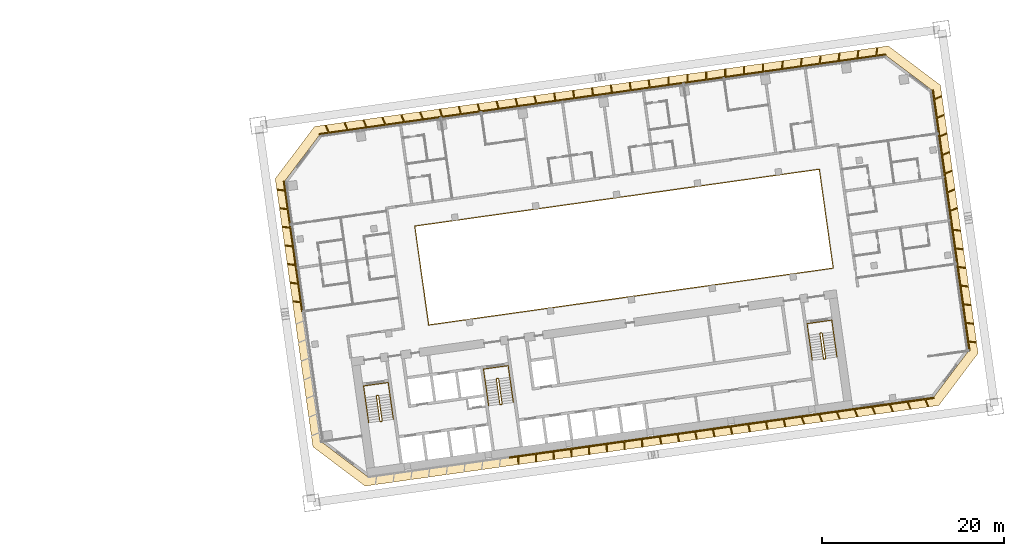
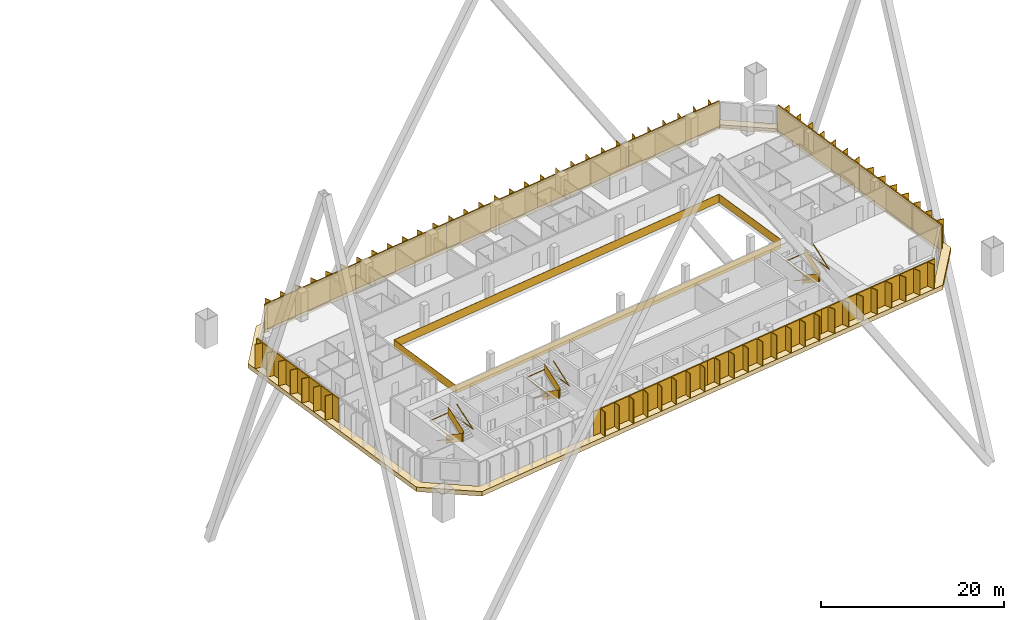
# One storey, part 49 of 49: 11 shading devices, 7 railings, 1 covering.
"""IFC4 building model written with IfcOpenShell, lengths in metres."""

from ifc_helpers import new_model, si_unit, direction, frame, origin, origin_2d, place, context, subcontext, project, spatial, polyline, rectangle, outline, extrude, material, layer, layer_set, type_object, element, save


model = new_model("IFC4")

# Units and contexts
model_context = context("Model", 3, precision=1e-05, world=origin(), true_north=direction((0.0, 1.0)))
body_context = subcontext(model_context, "Body", "Model", "MODEL_VIEW")
ifc_project = project(units=[si_unit("LENGTHUNIT", "METRE"), si_unit("AREAUNIT", "SQUARE_METRE"), si_unit("VOLUMEUNIT", "CUBIC_METRE"), si_unit("PLANEANGLEUNIT", "RADIAN"), si_unit("MASSUNIT", "GRAM", prefix="KILO")], contexts=[model_context])

# Site, building, storey
site_placement = place(None, origin())
site = spatial("IfcSite", under=ifc_project, at=site_placement, CompositionType="ELEMENT")
building_placement = place(site_placement, origin())
building = spatial("IfcBuilding", under=site, at=building_placement, Name="Mirante Cascada Hotel Towers", CompositionType="ELEMENT")
storey_placement = place(building_placement, frame((0.0, 0.0, 66.1)))
storey = spatial("IfcBuildingStorey", under=building, at=storey_placement, Name="L13", CompositionType="ELEMENT", Elevation=66.1)

# Railing
ifc_material_1 = material(Name="Toughened glass with stainless steel handrail", Category="steel")
railing_type_1 = type_object("IfcRailingType", Name="Atrium guard 1100 glass balustrade", PredefinedType="GUARDRAIL", material=ifc_material_1)
railing_1_placement = place(storey_placement, frame((43.8418, -3.4881, 0.0)))
element("IfcRailing", 1, at=railing_1_placement, inside=storey, type_object=railing_type_1, Name="GUARD 2-L13-1", PredefinedType="GUARDRAIL", context=body_context, shape_type="SweptSolid", body=[
    extrude(rectangle(XDim=0.048, YDim=0.048, at=origin_2d()), frame((0.0, 0.0, 1.076), z_axis=(0.9902681, 0.1391732, 0.0), x_axis=(-0.1391732, 0.9902681, 0.0)), (0.0, 0.0, 1.0), 45.0),
    extrude(rectangle(XDim=0.02, YDim=1.052, at=origin_2d()), frame((0.0, 0.0, 0.526), z_axis=(0.9902681, 0.1391732, 0.0), x_axis=(-0.1391732, 0.9902681, 0.0)), (0.0, 0.0, 1.0), 45.0),
    extrude(rectangle(XDim=0.048, YDim=0.048, at=origin_2d()), frame((44.5621, 6.2628, 1.076), z_axis=(-0.1391721, 0.9902682, 0.0), x_axis=(-0.9902682, -0.1391721, 0.0)), (0.0, 0.0, 1.0), 11.0001),
    extrude(rectangle(XDim=0.02, YDim=1.052, at=origin_2d()), frame((44.5621, 6.2628, 0.526), z_axis=(-0.1391721, 0.9902682, 0.0), x_axis=(-0.9902682, -0.1391721, 0.0)), (0.0, 0.0, 1.0), 11.0001),
    extrude(rectangle(XDim=0.048, YDim=0.048, at=origin_2d()), frame((43.0312, 17.1558, 1.076), z_axis=(-0.9902681, -0.1391732, 0.0), x_axis=(0.1391732, -0.9902681, 0.0)), (0.0, 0.0, 1.0), 45.0),
    extrude(rectangle(XDim=0.02, YDim=1.052, at=origin_2d()), frame((43.0312, 17.1558, 0.526), z_axis=(-0.9902681, -0.1391732, 0.0), x_axis=(0.1391732, -0.9902681, 0.0)), (0.0, 0.0, 1.0), 45.0),
    extrude(rectangle(XDim=0.048, YDim=0.048, at=origin_2d()), frame((-1.5309, 10.893, 1.076), z_axis=(0.1391721, -0.9902682, 0.0), x_axis=(0.9902682, 0.1391721, 0.0)), (0.0, 0.0, 1.0), 11.0001),
    extrude(rectangle(XDim=0.02, YDim=1.052, at=origin_2d()), frame((-1.5309, 10.893, 0.526), z_axis=(0.1391721, -0.9902682, 0.0), x_axis=(0.9902682, 0.1391721, 0.0)), (0.0, 0.0, 1.0), 11.0001),
])

# Covering
ifc_material_2 = material(Name="Precast concrete C40/50 white", Category="concrete")
ifc_layer = layer(ifc_material_2, 0.6)
ifc_layer_set = layer_set([ifc_layer], Name="Precast concrete SUNSHADE band 1000x600")
covering_type = type_object("IfcCoveringType", Name="Precast concrete SUNSHADE band 1000x600", PredefinedType="CLADDING", material=ifc_layer_set)
covering_placement = place(storey_placement, frame((0.0, 0.0, -0.45)))
element("IfcCovering", 2, at=covering_placement, inside=storey, type_object=covering_type, Name="Precast concrete SUNSHADE band T2 L13", PredefinedType="CLADDING", context=body_context, shape_type="SweptSolid", body=[
    extrude(outline(polyline([(26.9341, 12.6299), (31.2626, 18.374), (94.4698, 27.2572), (100.2139, 22.9287), (104.3652, -6.6094), (100.0367, -12.3535), (36.8295, -21.2367), (31.0854, -16.9082), (26.9341, 12.6299)]), holes=[polyline([(103.3173, -6.3384), (99.2813, 22.3794), (94.1988, 26.2093), (31.8119, 17.4414), (27.982, 12.3589), (32.018, -16.3589), (37.1005, -20.1888), (99.4874, -11.4209), (103.3173, -6.3384)])]), origin(), (0.0, 0.0, 1.0), 0.6),
])

# Railings
ifc_material_3 = material(Name="Painted steel", Category="steel")
railing_type_2 = type_object("IfcRailingType", Name="Stair guard 1100 steel balustrade", PredefinedType="GUARDRAIL", material=ifc_material_3)
railing_2_placement = place(storey_placement, frame((38.2663, -11.2395, 0.0)))
element("IfcRailing", 3, at=railing_2_placement, inside=storey, type_object=railing_type_2, Name="L13 ST2-A stair guard 1", PredefinedType="GUARDRAIL", context=body_context, shape_type="SweptSolid", body=[
    extrude(rectangle(XDim=0.048, YDim=0.048, at=origin_2d()), frame((0.0, 0.0, 1.076), z_axis=(-0.9903326, -0.1387133, 0.0), x_axis=(0.1387133, -0.9903326, 0.0)), (0.0, 0.0, 1.0), 0.1499),
    extrude(rectangle(XDim=0.02, YDim=1.052, at=origin_2d()), frame((0.0, 0.0, 0.526), z_axis=(-0.9903326, -0.1387133, 0.0), x_axis=(0.1387133, -0.9903326, 0.0)), (0.0, 0.0, 1.0), 0.1499),
    extrude(rectangle(XDim=0.048, YDim=0.048, at=origin_2d()), frame((-0.1485, -0.0208, 1.076), z_axis=(-0.6020331, -0.7984711, 0.0), x_axis=(0.7984711, -0.6020331, 0.0)), (0.0, 0.9253398, 0.3791387), 0.1866),
    extrude(rectangle(XDim=0.02, YDim=1.052, at=origin_2d()), frame((-0.1485, -0.0208, 0.526), z_axis=(-0.6020331, -0.7984711, 0.0), x_axis=(0.7984711, -0.6020331, 0.0)), (0.0, 0.9253398, 0.3791387), 0.1866),
    extrude(rectangle(XDim=0.048, YDim=0.048, at=origin_2d()), frame((-0.1911, -0.0773, 1.2487), z_axis=(0.139176, -0.9902677, 0.0), x_axis=(0.9902677, 0.139176, 0.0)), (0.0, 0.5250212, 0.8510891), 3.29),
    extrude(rectangle(XDim=0.02, YDim=1.052, at=origin_2d()), frame((-0.1911, -0.0773, 0.6987), z_axis=(0.139176, -0.9902677, 0.0), x_axis=(0.9902677, 0.139176, 0.0)), (0.0, 0.5250212, 0.8510891), 3.29),
    extrude(rectangle(XDim=0.048, YDim=0.048, at=origin_2d()), frame((0.1986, -2.8501, 2.976), z_axis=(0.9944948, -0.1047858, 0.0), x_axis=(0.1047858, 0.9944948, 0.0)), (0.0, 0.0, 1.0), 0.2061),
    extrude(rectangle(XDim=0.02, YDim=1.052, at=origin_2d()), frame((0.1986, -2.8501, 2.426), z_axis=(0.9944948, -0.1047858, 0.0), x_axis=(0.1047858, 0.9944948, 0.0)), (0.0, 0.0, 1.0), 0.2061),
    extrude(rectangle(XDim=0.048, YDim=0.048, at=origin_2d()), frame((0.4036, -2.8717, 2.976), z_axis=(-0.9902408, -0.1393672, 0.0), x_axis=(0.1393672, -0.9902408, 0.0)), (0.0, 0.0, 1.0), 0.15),
    extrude(rectangle(XDim=0.02, YDim=1.052, at=origin_2d()), frame((0.4036, -2.8717, 2.426), z_axis=(-0.9902408, -0.1393672, 0.0), x_axis=(0.1393672, -0.9902408, 0.0)), (0.0, 0.0, 1.0), 0.15),
    extrude(rectangle(XDim=0.048, YDim=0.048, at=origin_2d()), frame((0.2551, -2.8926, 2.976), z_axis=(0.9270311, 0.3749843, 0.0), x_axis=(-0.3749843, 0.9270311, 0.0)), (0.0, 0.6421903, 0.7665452), 0.2689),
    extrude(rectangle(XDim=0.02, YDim=1.052, at=origin_2d()), frame((0.2551, -2.8926, 2.426), z_axis=(0.9270311, 0.3749843, 0.0), x_axis=(-0.3749843, 0.9270311, 0.0)), (0.0, 0.6421903, 0.7665452), 0.2689),
    extrude(rectangle(XDim=0.048, YDim=0.048, at=origin_2d()), frame((0.4462, -2.8153, 3.1487), z_axis=(-0.139176, 0.9902677, 0.0), x_axis=(-0.9902677, -0.139176, 0.0)), (0.0, 0.5250212, 0.8510891), 3.29),
    extrude(rectangle(XDim=0.02, YDim=1.052, at=origin_2d()), frame((0.4462, -2.8153, 2.5987), z_axis=(-0.139176, 0.9902677, 0.0), x_axis=(-0.9902677, -0.139176, 0.0)), (0.0, 0.5250212, 0.8510891), 3.29),
])
railing_3_placement = place(storey_placement, frame((51.4864, -9.3815, 0.0)))
element("IfcRailing", 4, at=railing_3_placement, inside=storey, type_object=railing_type_2, Name="L13 ST2-B stair guard 1", PredefinedType="GUARDRAIL", context=body_context, shape_type="SweptSolid", body=[
    extrude(rectangle(XDim=0.048, YDim=0.048, at=origin_2d()), frame((0.0, 0.0, 1.076), z_axis=(-0.9902408, -0.1393672, 0.0), x_axis=(0.1393672, -0.9902408, 0.0)), (0.0, 0.0, 1.0), 0.15),
    extrude(rectangle(XDim=0.02, YDim=1.052, at=origin_2d()), frame((0.0, 0.0, 0.526), z_axis=(-0.9902408, -0.1393672, 0.0), x_axis=(0.1393672, -0.9902408, 0.0)), (0.0, 0.0, 1.0), 0.15),
    extrude(rectangle(XDim=0.048, YDim=0.048, at=origin_2d()), frame((-0.1485, -0.0209, 1.076), z_axis=(-0.6020331, -0.7984711, 0.0), x_axis=(0.7984711, -0.6020331, 0.0)), (0.0, 0.9253398, 0.3791387), 0.1866),
    extrude(rectangle(XDim=0.02, YDim=1.052, at=origin_2d()), frame((-0.1485, -0.0209, 0.526), z_axis=(-0.6020331, -0.7984711, 0.0), x_axis=(0.7984711, -0.6020331, 0.0)), (0.0, 0.9253398, 0.3791387), 0.1866),
    extrude(rectangle(XDim=0.048, YDim=0.048, at=origin_2d()), frame((-0.1911, -0.0774, 1.2487), z_axis=(0.139181, -0.990267, 0.0), x_axis=(0.990267, 0.139181, 0.0)), (0.0, 0.5250347, 0.8510808), 3.2899),
    extrude(rectangle(XDim=0.02, YDim=1.052, at=origin_2d()), frame((-0.1911, -0.0774, 0.6987), z_axis=(0.139181, -0.990267, 0.0), x_axis=(0.990267, 0.139181, 0.0)), (0.0, 0.5250347, 0.8510808), 3.2899),
    extrude(rectangle(XDim=0.048, YDim=0.048, at=origin_2d()), frame((0.1986, -2.8501, 2.976), z_axis=(0.9944441, -0.1052656, 0.0), x_axis=(0.1052656, 0.9944441, 0.0)), (0.0, 0.0, 1.0), 0.2061),
    extrude(rectangle(XDim=0.02, YDim=1.052, at=origin_2d()), frame((0.1986, -2.8501, 2.426), z_axis=(0.9944441, -0.1052656, 0.0), x_axis=(0.1052656, 0.9944441, 0.0)), (0.0, 0.0, 1.0), 0.2061),
    extrude(rectangle(XDim=0.048, YDim=0.048, at=origin_2d()), frame((0.4036, -2.8718, 2.976), z_axis=(-0.9902408, -0.1393672, 0.0), x_axis=(0.1393672, -0.9902408, 0.0)), (0.0, 0.0, 1.0), 0.15),
    extrude(rectangle(XDim=0.02, YDim=1.052, at=origin_2d()), frame((0.4036, -2.8718, 2.426), z_axis=(-0.9902408, -0.1393672, 0.0), x_axis=(0.1393672, -0.9902408, 0.0)), (0.0, 0.0, 1.0), 0.15),
    extrude(rectangle(XDim=0.048, YDim=0.048, at=origin_2d()), frame((0.2551, -2.8927, 2.976), z_axis=(0.9268624, 0.3754011, 0.0), x_axis=(-0.3754011, 0.9268624, 0.0)), (0.0, 0.6421217, 0.7666028), 0.269),
    extrude(rectangle(XDim=0.02, YDim=1.052, at=origin_2d()), frame((0.2551, -2.8927, 2.426), z_axis=(0.9268624, 0.3754011, 0.0), x_axis=(-0.3754011, 0.9268624, 0.0)), (0.0, 0.6421217, 0.7666028), 0.269),
    extrude(rectangle(XDim=0.048, YDim=0.048, at=origin_2d()), frame((0.4462, -2.8153, 3.1487), z_axis=(-0.139181, 0.990267, 0.0), x_axis=(-0.990267, -0.139181, 0.0)), (0.0, 0.5250347, 0.8510808), 3.2899),
    extrude(rectangle(XDim=0.02, YDim=1.052, at=origin_2d()), frame((0.4462, -2.8153, 2.5987), z_axis=(-0.139181, 0.990267, 0.0), x_axis=(-0.990267, -0.139181, 0.0)), (0.0, 0.5250347, 0.8510808), 3.2899),
])
railing_4_placement = place(storey_placement, frame((87.1361, -4.3713, 0.0)))
element("IfcRailing", 5, at=railing_4_placement, inside=storey, type_object=railing_type_2, Name="L13 ST2-C stair guard 1", PredefinedType="GUARDRAIL", context=body_context, shape_type="SweptSolid", body=[
    extrude(rectangle(XDim=0.048, YDim=0.048, at=origin_2d()), frame((0.0, 0.0, 1.076), z_axis=(-0.9902537, -0.1392753, 0.0), x_axis=(0.1392753, -0.9902537, 0.0)), (0.0, 0.0, 1.0), 0.1501),
    extrude(rectangle(XDim=0.02, YDim=1.052, at=origin_2d()), frame((0.0, 0.0, 0.526), z_axis=(-0.9902537, -0.1392753, 0.0), x_axis=(0.1392753, -0.9902537, 0.0)), (0.0, 0.0, 1.0), 0.1501),
    extrude(rectangle(XDim=0.048, YDim=0.048, at=origin_2d()), frame((-0.1486, -0.0209, 1.076), z_axis=(-0.601811, -0.7986386, 0.0), x_axis=(0.7986386, -0.601811, 0.0)), (0.0, 0.925603, 0.3784959), 0.1866),
    extrude(rectangle(XDim=0.02, YDim=1.052, at=origin_2d()), frame((-0.1486, -0.0209, 0.526), z_axis=(-0.601811, -0.7986386, 0.0), x_axis=(0.7986386, -0.601811, 0.0)), (0.0, 0.925603, 0.3784959), 0.1866),
    extrude(rectangle(XDim=0.048, YDim=0.048, at=origin_2d()), frame((-0.1911, -0.0773, 1.2487), z_axis=(0.139176, -0.9902677, 0.0), x_axis=(0.9902677, 0.139176, 0.0)), (0.0, 0.5250212, 0.8510891), 3.29),
    extrude(rectangle(XDim=0.02, YDim=1.052, at=origin_2d()), frame((-0.1911, -0.0773, 0.6987), z_axis=(0.139176, -0.9902677, 0.0), x_axis=(0.9902677, 0.139176, 0.0)), (0.0, 0.5250212, 0.8510891), 3.29),
    extrude(rectangle(XDim=0.048, YDim=0.048, at=origin_2d()), frame((0.1986, -2.8501, 2.976), z_axis=(0.9944441, -0.1052656, 0.0), x_axis=(0.1052656, 0.9944441, 0.0)), (0.0, 0.0, 1.0), 0.2061),
    extrude(rectangle(XDim=0.02, YDim=1.052, at=origin_2d()), frame((0.1986, -2.8501, 2.426), z_axis=(0.9944441, -0.1052656, 0.0), x_axis=(0.1052656, 0.9944441, 0.0)), (0.0, 0.0, 1.0), 0.2061),
    extrude(rectangle(XDim=0.048, YDim=0.048, at=origin_2d()), frame((0.4036, -2.8718, 2.976), z_axis=(-0.9903454, -0.1386217, 0.0), x_axis=(0.1386217, -0.9903454, 0.0)), (0.0, 0.0, 1.0), 0.15),
    extrude(rectangle(XDim=0.02, YDim=1.052, at=origin_2d()), frame((0.4036, -2.8718, 2.426), z_axis=(-0.9903454, -0.1386217, 0.0), x_axis=(0.1386217, -0.9903454, 0.0)), (0.0, 0.0, 1.0), 0.15),
    extrude(rectangle(XDim=0.048, YDim=0.048, at=origin_2d()), frame((0.255, -2.8926, 2.976), z_axis=(0.9270311, 0.3749843, 0.0), x_axis=(-0.3749843, 0.9270311, 0.0)), (0.0, 0.6421903, 0.7665452), 0.2689),
    extrude(rectangle(XDim=0.02, YDim=1.052, at=origin_2d()), frame((0.255, -2.8926, 2.426), z_axis=(0.9270311, 0.3749843, 0.0), x_axis=(-0.3749843, 0.9270311, 0.0)), (0.0, 0.6421903, 0.7665452), 0.2689),
    extrude(rectangle(XDim=0.048, YDim=0.048, at=origin_2d()), frame((0.4461, -2.8153, 3.1487), z_axis=(-0.139176, 0.9902677, 0.0), x_axis=(-0.9902677, -0.139176, 0.0)), (0.0, 0.5250212, 0.8510891), 3.29),
    extrude(rectangle(XDim=0.02, YDim=1.052, at=origin_2d()), frame((0.4461, -2.8153, 2.5987), z_axis=(-0.139176, 0.9902677, 0.0), x_axis=(-0.9902677, -0.139176, 0.0)), (0.0, 0.5250212, 0.8510891), 3.29),
])
ifc_material_4 = material(Name="Painted steel", Category="steel")
railing_type_3 = type_object("IfcRailingType", Name="Stair handrail 900 steel tube", PredefinedType="HANDRAIL", material=ifc_material_4)
railing_5_placement = place(storey_placement, frame((36.8374, -11.4908, 0.1727)))
element("IfcRailing", 6, at=railing_5_placement, inside=storey, type_object=railing_type_3, Name="L13 ST2-A stair handrail 1", PredefinedType="HANDRAIL", context=body_context, shape_type="SweptSolid", body=[
    extrude(rectangle(XDim=0.048, YDim=0.048, at=origin_2d()), frame((0.0, 0.0, 0.876), z_axis=(0.139181, -0.990267, 0.0), x_axis=(0.990267, 0.139181, 0.0)), (0.0, 0.5250347, 0.8510808), 3.2899),
    extrude(rectangle(XDim=0.048, YDim=0.048, at=origin_2d()), frame((0.3897, -2.7727, 2.6033), z_axis=(-0.1391707, 0.9902684, 0.0), x_axis=(-0.9902684, -0.1391707, 0.0)), (0.0, 0.0420846, 0.999114), 4.1036),
    extrude(rectangle(XDim=0.048, YDim=0.048, at=origin_2d()), frame((-0.1809, 1.2874, 2.776), z_axis=(0.9902691, 0.1391657, 0.0), x_axis=(-0.1391657, 0.9902691, 0.0)), (0.0, 0.0, 1.0), 2.75),
    extrude(rectangle(XDim=0.048, YDim=0.048, at=origin_2d()), frame((2.5423, 1.6701, 2.776), z_axis=(0.1391707, -0.9902684, 0.0), x_axis=(0.9902684, 0.1391707, 0.0)), (0.0, 0.0, 1.0), 4.1),
    extrude(rectangle(XDim=0.048, YDim=0.048, at=origin_2d()), frame((3.1129, -2.39, 2.776), z_axis=(-0.139181, 0.990267, 0.0), x_axis=(-0.990267, -0.139181, 0.0)), (0.0, 0.5250347, 0.8510808), 3.2899),
])
railing_6_placement = place(storey_placement, frame((50.0575, -9.6328, 0.1727)))
element("IfcRailing", 7, at=railing_6_placement, inside=storey, type_object=railing_type_3, Name="L13 ST2-B stair handrail 1", PredefinedType="HANDRAIL", context=body_context, shape_type="SweptSolid", body=[
    extrude(rectangle(XDim=0.048, YDim=0.048, at=origin_2d()), frame((0.0, 0.0, 0.876), z_axis=(0.139176, -0.9902677, 0.0), x_axis=(0.9902677, 0.139176, 0.0)), (0.0, 0.5250212, 0.8510891), 3.29),
    extrude(rectangle(XDim=0.048, YDim=0.048, at=origin_2d()), frame((0.3897, -2.7728, 2.6033), z_axis=(-0.1391707, 0.9902684, 0.0), x_axis=(-0.9902684, -0.1391707, 0.0)), (0.0, 0.0420846, 0.999114), 4.1036),
    extrude(rectangle(XDim=0.048, YDim=0.048, at=origin_2d()), frame((-0.1809, 1.2873, 2.776), z_axis=(0.9902641, 0.1392013, 0.0), x_axis=(-0.1392013, 0.9902641, 0.0)), (0.0, 0.0, 1.0), 2.75),
    extrude(rectangle(XDim=0.048, YDim=0.048, at=origin_2d()), frame((2.5423, 1.6701, 2.776), z_axis=(0.1391707, -0.9902684, 0.0), x_axis=(0.9902684, 0.1391707, 0.0)), (0.0, 0.0, 1.0), 4.1),
    extrude(rectangle(XDim=0.048, YDim=0.048, at=origin_2d()), frame((3.1129, -2.39, 2.776), z_axis=(-0.139181, 0.990267, 0.0), x_axis=(-0.990267, -0.139181, 0.0)), (0.0, 0.5250347, 0.8510808), 3.2899),
])
railing_7_placement = place(storey_placement, frame((85.7071, -4.6226, 0.1727)))
element("IfcRailing", 8, at=railing_7_placement, inside=storey, type_object=railing_type_3, Name="L13 ST2-C stair handrail 1", PredefinedType="HANDRAIL", context=body_context, shape_type="SweptSolid", body=[
    extrude(rectangle(XDim=0.048, YDim=0.048, at=origin_2d()), frame((0.0, 0.0, 0.876), z_axis=(0.139181, -0.990267, 0.0), x_axis=(0.990267, 0.139181, 0.0)), (0.0, 0.5250347, 0.8510808), 3.2899),
    extrude(rectangle(XDim=0.048, YDim=0.048, at=origin_2d()), frame((0.3897, -2.7727, 2.6033), z_axis=(-0.1391707, 0.9902684, 0.0), x_axis=(-0.9902684, -0.1391707, 0.0)), (0.0, 0.0420846, 0.999114), 4.1036),
    extrude(rectangle(XDim=0.048, YDim=0.048, at=origin_2d()), frame((-0.1809, 1.2874, 2.776), z_axis=(0.9902691, 0.1391657, 0.0), x_axis=(-0.1391657, 0.9902691, 0.0)), (0.0, 0.0, 1.0), 2.75),
    extrude(rectangle(XDim=0.048, YDim=0.048, at=origin_2d()), frame((2.5423, 1.6701, 2.776), z_axis=(0.1391947, -0.990265, 0.0), x_axis=(0.990265, 0.1391947, 0.0)), (0.0, 0.0, 1.0), 4.1),
    extrude(rectangle(XDim=0.048, YDim=0.048, at=origin_2d()), frame((3.113, -2.39, 2.776), z_axis=(-0.139181, 0.990267, 0.0), x_axis=(-0.990267, -0.139181, 0.0)), (0.0, 0.5250347, 0.8510808), 3.2899),
])

# Shading devices
ifc_material_5 = material(Name="White precast concrete C50/60 fin", Category="concrete")
shading_device_type = type_object("IfcShadingDeviceType", Name="Vertical fin set 4500x900", PredefinedType="USERDEFINED", material=ifc_material_5)
shading_device_1_placement = place(storey_placement, origin())
element("IfcShadingDevice", 9, at=shading_device_1_placement, inside=storey, type_object=shading_device_type, Name="FIN T2 L13 front 1", ObjectType="FIN", PredefinedType="USERDEFINED", context=body_context, shape_type="SweptSolid", body=[
    extrude(outline(polyline([(82.8967, 25.5893), (82.7946, 24.758), (84.7922, 25.0387), (84.8968, 25.8913), (84.9762, 25.8815), (84.8742, 25.0503), (86.8717, 25.331), (86.9764, 26.1835), (87.0558, 26.1738), (86.9537, 25.3425), (88.9513, 25.6233), (89.056, 26.4758), (89.1354, 26.4661), (89.0333, 25.6348), (91.0308, 25.9155), (91.1355, 26.7681), (91.2149, 26.7583), (91.1129, 25.9271), (93.1104, 26.2078), (93.2151, 27.0603), (93.2945, 27.0506), (93.1924, 26.2193), (94.1779, 26.3578), (94.1988, 26.2093), (81.7214, 24.4557), (81.7006, 24.6042), (82.7126, 24.7465), (82.8173, 25.599), (82.8967, 25.5893)])), origin(), (0.0, 0.0, 1.0), 3.35),
])
shading_device_2_placement = place(storey_placement, origin())
element("IfcShadingDevice", 10, at=shading_device_2_placement, inside=storey, type_object=shading_device_type, Name="FIN T2 L13 front 2", ObjectType="FIN", PredefinedType="USERDEFINED", context=body_context, shape_type="SweptSolid", body=[
    extrude(outline(polyline([(70.3021, 23.8476), (70.3094, 23.0033), (72.3091, 23.2844), (72.3016, 24.1392), (72.3816, 24.1399), (72.389, 23.2956), (74.3886, 23.5766), (74.3812, 24.4314), (74.4612, 24.4321), (74.4686, 23.5878), (76.4682, 23.8689), (76.4608, 24.7237), (76.5407, 24.7244), (76.5481, 23.8801), (78.5478, 24.1611), (78.5403, 25.0159), (78.6203, 25.0166), (78.6277, 24.1724), (80.6273, 24.4534), (80.6199, 25.3082), (80.6999, 25.3089), (80.7072, 24.4646), (81.7006, 24.6042), (81.7214, 24.4557), (69.2441, 22.7021), (69.2232, 22.8507), (70.2295, 22.9921), (70.2221, 23.8469), (70.3021, 23.8476)])), origin(), (0.0, 0.0, 1.0), 3.35),
])
shading_device_3_placement = place(storey_placement, origin())
element("IfcShadingDevice", 11, at=shading_device_3_placement, inside=storey, type_object=shading_device_type, Name="FIN T2 L13 front 3", ObjectType="FIN", PredefinedType="USERDEFINED", context=body_context, shape_type="SweptSolid", body=[
    extrude(outline(polyline([(57.7069, 22.0905), (57.8252, 21.2488), (59.8255, 21.5299), (59.7072, 22.3716), (59.7865, 22.3828), (59.9048, 21.541), (61.9051, 21.8222), (61.7868, 22.6639), (61.866, 22.675), (61.9843, 21.8333), (63.9847, 22.1144), (63.8664, 22.9562), (63.9456, 22.9673), (64.0639, 22.1256), (66.0642, 22.4067), (65.9459, 23.2484), (66.0251, 23.2596), (66.1434, 22.4178), (68.1438, 22.699), (68.0255, 23.5407), (68.1047, 23.5518), (68.223, 22.7101), (69.2232, 22.8507), (69.2441, 22.7021), (56.7667, 20.9485), (56.7458, 21.0971), (57.746, 21.2376), (57.6277, 22.0794), (57.7069, 22.0905)])), origin(), (0.0, 0.0, 1.0), 3.35),
])
shading_device_4_placement = place(storey_placement, origin())
element("IfcShadingDevice", 12, at=shading_device_4_placement, inside=storey, type_object=shading_device_type, Name="FIN T2 L13 front 4", ObjectType="FIN", PredefinedType="USERDEFINED", context=body_context, shape_type="SweptSolid", body=[
    extrude(outline(polyline([(45.1132, 20.3181), (45.3416, 19.4943), (47.3413, 19.7754), (47.1157, 20.589), (47.1928, 20.6103), (47.4212, 19.7866), (49.4209, 20.0676), (49.1952, 20.8812), (49.2723, 20.9026), (49.5008, 20.0789), (51.5004, 20.3599), (51.2748, 21.1735), (51.3519, 21.1949), (51.5803, 20.3711), (53.58, 20.6521), (53.3544, 21.4657), (53.4314, 21.4871), (53.6599, 20.6634), (55.6595, 20.9444), (55.4339, 21.758), (55.511, 21.7794), (55.7394, 20.9556), (56.7458, 21.0971), (56.7667, 20.9485), (44.2893, 19.195), (44.2684, 19.3435), (45.2617, 19.4831), (45.0361, 20.2967), (45.1132, 20.3181)])), origin(), (0.0, 0.0, 1.0), 3.35),
])
shading_device_5_placement = place(storey_placement, origin())
element("IfcShadingDevice", 13, at=shading_device_5_placement, inside=storey, type_object=shading_device_type, Name="FIN T2 L13 front 5", ObjectType="FIN", PredefinedType="USERDEFINED", context=body_context, shape_type="SweptSolid", body=[
    extrude(outline(polyline([(32.5229, 18.5306), (32.8586, 17.7399), (34.8561, 18.0207), (34.5289, 18.7916), (34.6025, 18.8229), (34.9381, 18.0322), (36.9357, 18.3129), (36.6084, 19.0839), (36.6821, 19.1151), (37.0177, 18.3245), (39.0152, 18.6052), (38.688, 19.3761), (38.7616, 19.4074), (39.0973, 18.6167), (41.0948, 18.8975), (40.7676, 19.6684), (40.8412, 19.6997), (41.1768, 18.909), (43.1744, 19.1897), (42.8471, 19.9607), (42.9208, 19.9919), (43.2564, 19.2013), (44.2684, 19.3435), (44.2893, 19.195), (31.8119, 17.4414), (31.791, 17.5899), (32.7765, 17.7284), (32.4493, 18.4994), (32.5229, 18.5306)])), origin(), (0.0, 0.0, 1.0), 3.35),
])
shading_device_6_placement = place(storey_placement, origin())
element("IfcShadingDevice", 14, at=shading_device_6_placement, inside=storey, type_object=shading_device_type, Name="FIN T2 L13 inner 1", ObjectType="FIN", PredefinedType="USERDEFINED", context=body_context, shape_type="SweptSolid", body=[
    extrude(outline(polyline([(28.8684, -0.8389), (29.6997, -0.941), (29.4229, 1.0283), (28.5704, 1.133), (28.5801, 1.2124), (29.4114, 1.1103), (29.1346, 3.0796), (28.2821, 3.1842), (28.2918, 3.2636), (29.1231, 3.1616), (28.8464, 5.1308), (27.9938, 5.2355), (28.0036, 5.3149), (28.8348, 5.2128), (28.5581, 7.1821), (27.7055, 7.2868), (27.7153, 7.3662), (28.5465, 7.2641), (28.2698, 9.2334), (27.4172, 9.338), (27.427, 9.4174), (28.2583, 9.3154), (27.9815, 11.2846), (27.1289, 11.3893), (27.1387, 11.4687), (27.97, 11.3667), (27.8334, 12.338), (27.982, 12.3589), (30.0, -2.0), (29.8515, -2.0209), (29.7112, -1.023), (28.8587, -0.9183), (28.8684, -0.8389)])), origin(), (0.0, 0.0, 1.0), 3.35),
])
shading_device_7_placement = place(storey_placement, origin())
element("IfcShadingDevice", 15, at=shading_device_7_placement, inside=storey, type_object=shading_device_type, Name="FIN T2 L13 outer 1", ObjectType="FIN", PredefinedType="USERDEFINED", context=body_context, shape_type="SweptSolid", body=[
    extrude(outline(polyline([(104.1606, -5.4483), (103.3293, -5.3462), (103.4659, -6.3175), (103.3173, -6.3384), (101.2993, 8.0205), (101.4478, 8.0413), (101.5881, 7.0434), (102.4406, 6.9388), (102.4309, 6.8594), (101.5996, 6.9614), (101.8764, 4.9922), (102.7289, 4.8875), (102.7192, 4.8081), (101.8879, 4.9102), (102.1647, 2.9409), (103.0172, 2.8362), (103.0075, 2.7568), (102.1762, 2.8589), (102.4529, 0.8896), (103.3055, 0.785), (103.2957, 0.7056), (102.4645, 0.8076), (102.7412, -1.1616), (103.5938, -1.2663), (103.584, -1.3457), (102.7528, -1.2436), (103.0295, -3.2129), (103.8821, -3.3176), (103.8723, -3.397), (103.041, -3.2949), (103.3178, -5.2642), (104.1704, -5.3689), (104.1606, -5.4483)])), origin(), (0.0, 0.0, 1.0), 3.35),
])
shading_device_8_placement = place(storey_placement, origin())
element("IfcShadingDevice", 16, at=shading_device_8_placement, inside=storey, type_object=shading_device_type, Name="FIN T2 L13 outer 2", ObjectType="FIN", PredefinedType="USERDEFINED", context=body_context, shape_type="SweptSolid", body=[
    extrude(outline(polyline([(102.0983, 9.3749), (101.3076, 9.0392), (101.4478, 8.0413), (101.2993, 8.0205), (99.2813, 22.3794), (99.4298, 22.4002), (99.5663, 21.4289), (100.3373, 21.7561), (100.3685, 21.6825), (99.5779, 21.3469), (99.8546, 19.3776), (100.6256, 19.7048), (100.6568, 19.6312), (99.8662, 19.2956), (100.1429, 17.3263), (100.9139, 17.6536), (100.9451, 17.5799), (100.1544, 17.2443), (100.4312, 15.2751), (101.2021, 15.6023), (101.2334, 15.5287), (100.4427, 15.193), (100.7195, 13.2238), (101.4904, 13.551), (101.5217, 13.4774), (100.731, 13.1418), (101.0078, 11.1725), (101.7787, 11.4998), (101.81, 11.4261), (101.0193, 11.0905), (101.2961, 9.1212), (102.067, 9.4485), (102.0983, 9.3749)])), origin(), (0.0, 0.0, 1.0), 3.35),
])
shading_device_9_placement = place(storey_placement, origin())
element("IfcShadingDevice", 17, at=shading_device_9_placement, inside=storey, type_object=shading_device_type, Name="FIN T2 L13 rear 2", ObjectType="FIN", PredefinedType="USERDEFINED", context=body_context, shape_type="SweptSolid", body=[
    extrude(outline(polyline([(53.6931, -18.8597), (53.6488, -18.0146), (52.7181, -18.1454), (52.6972, -17.9968), (68.2939, -15.8049), (68.3148, -15.9534), (67.3755, -16.0854), (67.4201, -16.9376), (67.3402, -16.9417), (67.2959, -16.0966), (65.4259, -16.3594), (65.4705, -17.2116), (65.3906, -17.2157), (65.3463, -16.3706), (63.4763, -16.6334), (63.5209, -17.4856), (63.441, -17.4897), (63.3967, -16.6446), (61.5267, -16.9074), (61.5713, -17.7596), (61.4914, -17.7637), (61.4472, -16.9186), (59.5771, -17.1814), (59.6217, -18.0335), (59.5419, -18.0377), (59.4976, -17.1926), (57.6275, -17.4554), (57.6722, -18.3075), (57.5923, -18.3117), (57.548, -17.4666), (55.6779, -17.7294), (55.7226, -18.5815), (55.6427, -18.5857), (55.5984, -17.7406), (53.7283, -18.0034), (53.773, -18.8555), (53.6931, -18.8597)])), origin(), (0.0, 0.0, 1.0), 3.35),
])
shading_device_10_placement = place(storey_placement, origin())
element("IfcShadingDevice", 18, at=shading_device_10_placement, inside=storey, type_object=shading_device_type, Name="FIN T2 L13 rear 3", ObjectType="FIN", PredefinedType="USERDEFINED", context=body_context, shape_type="SweptSolid", body=[
    extrude(outline(polyline([(69.4461, -16.6528), (69.2542, -15.8214), (68.3148, -15.9534), (68.2939, -15.8049), (83.8907, -13.6129), (83.9115, -13.7614), (82.9808, -13.8922), (83.1712, -14.7168), (83.0933, -14.7348), (82.9013, -13.9034), (81.0312, -14.1662), (81.2216, -14.9908), (81.1437, -15.0088), (80.9517, -14.1774), (79.0817, -14.4402), (79.272, -15.2648), (79.1941, -15.2828), (79.0021, -14.4514), (77.1321, -14.7142), (77.3224, -15.5388), (77.2445, -15.5568), (77.0525, -14.7254), (75.1825, -14.9882), (75.3729, -15.8128), (75.2949, -15.8308), (75.103, -14.9994), (73.2329, -15.2622), (73.4233, -16.0868), (73.3453, -16.1048), (73.1534, -15.2734), (71.2833, -15.5362), (71.4737, -16.3608), (71.3957, -16.3788), (71.2038, -15.5474), (69.3337, -15.8102), (69.5241, -16.6348), (69.4461, -16.6528)])), origin(), (0.0, 0.0, 1.0), 3.35),
])
shading_device_11_placement = place(storey_placement, origin())
element("IfcShadingDevice", 19, at=shading_device_11_placement, inside=storey, type_object=shading_device_type, Name="FIN T2 L13 rear 4", ObjectType="FIN", PredefinedType="USERDEFINED", context=body_context, shape_type="SweptSolid", body=[
    extrude(outline(polyline([(85.1942, -14.419), (84.8586, -13.6283), (83.9115, -13.7614), (83.8907, -13.6129), (99.4874, -11.4209), (99.5083, -11.5694), (98.5877, -11.6988), (98.915, -12.4698), (98.8413, -12.501), (98.5057, -11.7103), (96.6381, -11.9728), (96.9654, -12.7438), (96.8918, -12.775), (96.5561, -11.9843), (94.6886, -12.2468), (95.0158, -13.0178), (94.9422, -13.049), (94.6065, -12.2583), (92.739, -12.5208), (93.0662, -13.2918), (92.9926, -13.323), (92.657, -12.5323), (90.7894, -12.7948), (91.1166, -13.5657), (91.043, -13.597), (90.7074, -12.8063), (88.8398, -13.0688), (89.167, -13.8397), (89.0934, -13.871), (88.7578, -13.0803), (86.8902, -13.3428), (87.2174, -14.1137), (87.1438, -14.145), (86.8082, -13.3543), (84.9406, -13.6168), (85.2679, -14.3877), (85.1942, -14.419)])), origin(), (0.0, 0.0, 1.0), 3.35),
])

save(model, "model.ifc")
